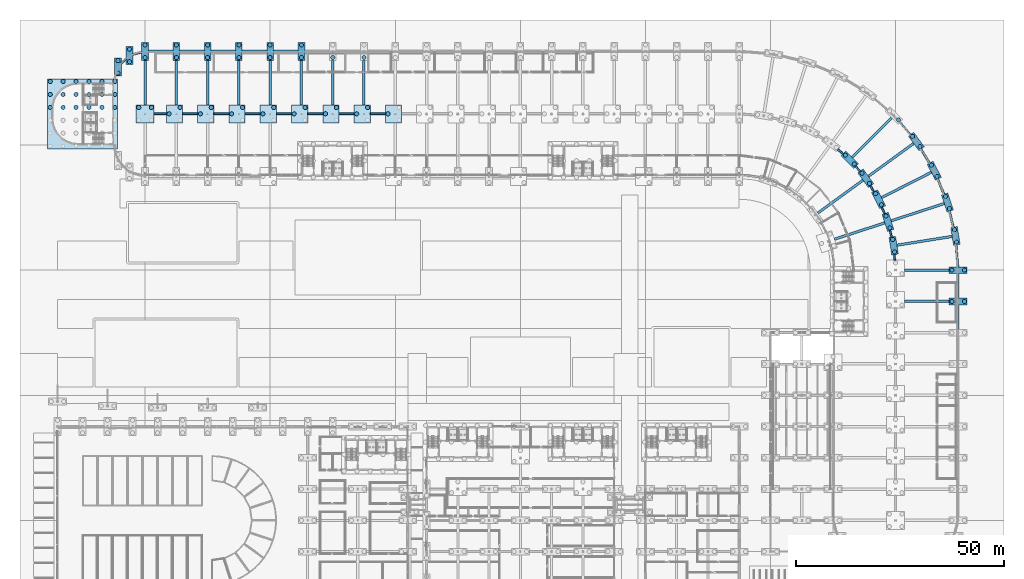
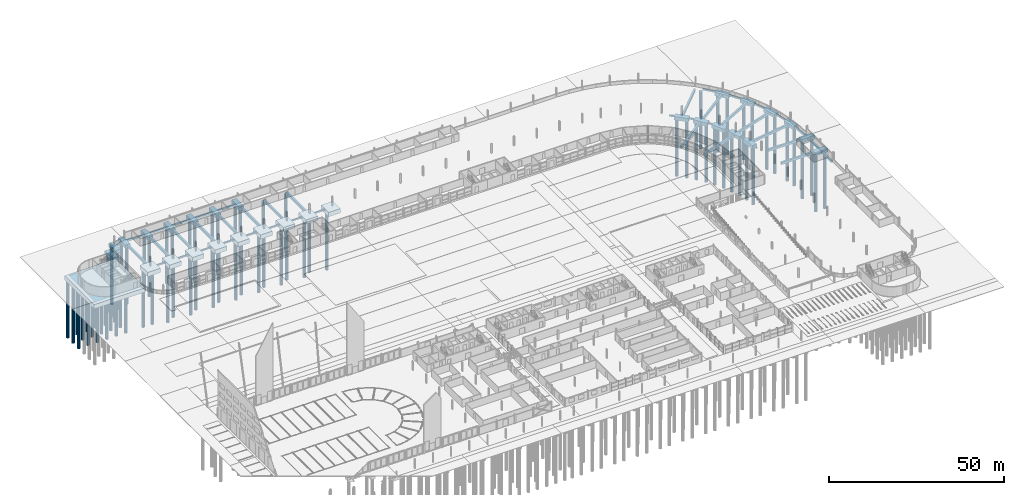
# One storey, part 7 of 130: 76 piles, 74 footings.
"""IFC4 building model written with IfcOpenShell, lengths in metres."""

from ifc_helpers import new_model, si_unit, direction, frame, origin, origin_2d, place, context, subcontext, project, spatial, rectangle, circle, extrude, material, material_profile, profile_set, type_object, element, save


model = new_model("IFC4")

# Units and contexts
model_context = context("Model", 3, precision=1e-05, world=origin(), true_north=direction((0.0, 1.0)))
body_context = subcontext(model_context, "Body", "Model", "MODEL_VIEW")
ifc_project = project(units=[si_unit("LENGTHUNIT", "METRE"), si_unit("AREAUNIT", "SQUARE_METRE"), si_unit("VOLUMEUNIT", "CUBIC_METRE"), si_unit("PLANEANGLEUNIT", "RADIAN"), si_unit("MASSUNIT", "GRAM", prefix="KILO")], contexts=[model_context])

# Site, building, storey
site_placement = place(None, origin())
site = spatial("IfcSite", under=ifc_project, at=site_placement, CompositionType="ELEMENT")
building_placement = place(site_placement, origin())
building = spatial("IfcBuilding", under=site, at=building_placement, Name="Parallax Yard Mobility Hub", CompositionType="ELEMENT")
storey_placement = place(building_placement, origin())
storey = spatial("IfcBuildingStorey", under=building, at=storey_placement, Name="L00", CompositionType="ELEMENT", Elevation=0.0)

# Piles
ifc_material = material(Name="Concrete fc' 28 MPa", Category="concrete")
ifc_material_profile_1 = material_profile(ifc_material, circle(Radius=0.5, at=origin_2d()), Name="Bored pile D1000")
ifc_profile_set_1 = profile_set([ifc_material_profile_1], Name="Concrete fc' 28 MPa")
pile_type = type_object("IfcPileType", Name="Bored pile D1000", PredefinedType="BORED", material=ifc_profile_set_1)
for number, where, z_axis, x_axis, name in (
    (1, (223.4951171875, 82.5, -1.35009765625), (0.0, 0.0, -1.0), (1.0, 0.0, 0.0), "Bored pile 1 of PC1 under column V4 at M/31"),
    (2, (226.5048828125, 82.5, -1.35009765625), (0.0, 0.0, -1.0), (1.0, 0.0, 0.0), "Bored pile 2 of PC1 under column V4 at M/31"),
    (3, (223.4951171875, 90.0, -1.35009765625), (0.0, 0.0, -1.0), (1.0, 0.0, 0.0), "Bored pile 1 of PC1 under column V4 at N/31"),
    (4, (226.5048828125, 90.0, -1.35009765625), (0.0, 0.0, -1.0), (1.0, 0.0, 0.0), "Bored pile 2 of PC1 under column V4 at N/31"),
    (5, (200.080810546875, 115.452392578125, -1.35009765625), (0.0, 0.0, -1.0), (1.0, 0.0, 0.0), "Bored pile 1 of PC1 under column V4 at RB/R5"),
    (6, (197.952392578125, 117.580810546875, -1.35009765625), (0.0, 0.0, -1.0), (1.0, 0.0, 0.0), "Bored pile 2 of PC1 under column V4 at RB/R5"),
    (7, (203.72265625, 110.82421875, -1.35009765625), (0.0, 0.0, -1.0), (1.0, 0.0, 0.0), "Bored pile 1 of PC1 under column V4 at RB/R6"),
    (8, (201.95361328125, 113.259521484375, -1.35009765625), (0.0, 0.0, -1.0), (1.0, 0.0, 0.0), "Bored pile 2 of PC1 under column V4 at RB/R6"),
    (9, (206.595947265625, 105.68359375, -1.35009765625), (0.0, 0.0, -1.0), (1.0, 0.0, 0.0), "Bored pile 1 of PC1 under column V4 at RB/R7"),
    (10, (205.2294921875, 108.365478515625, -1.35009765625), (0.0, 0.0, -1.0), (1.0, 0.0, 0.0), "Bored pile 2 of PC1 under column V4 at RB/R7"),
    (11, (208.629638671875, 100.15673828125, -1.35009765625), (0.0, 0.0, -1.0), (1.0, 0.0, 0.0), "Bored pile 1 of PC1 under column V4 at RB/R8"),
    (12, (207.699462890625, 103.019287109375, -1.35009765625), (0.0, 0.0, -1.0), (1.0, 0.0, 0.0), "Bored pile 2 of PC1 under column V4 at RB/R8"),
    (13, (209.773681640625, 94.3798828125, -1.35009765625), (0.0, 0.0, -1.0), (1.0, 0.0, 0.0), "Bored pile 1 of PC1 under column V4 at RB/R9"),
    (14, (209.302978515625, 97.352783203125, -1.35009765625), (0.0, 0.0, -1.0), (1.0, 0.0, 0.0), "Bored pile 2 of PC1 under column V4 at RB/R9"),
    (15, (210.687255859375, 126.058837890625, -1.35009765625), (0.0, 0.0, -1.0), (1.0, 0.0, 0.0), "Bored pile 1 of PC1 under column V4 at RC/R5"),
    (16, (215.85791015625, 119.64111328125, -1.35009765625), (0.0, 0.0, -1.0), (1.0, 0.0, 0.0), "Bored pile 1 of PC1 under column V4 at RC/R6"),
    (17, (214.0888671875, 122.076416015625, -1.35009765625), (0.0, 0.0, -1.0), (1.0, 0.0, 0.0), "Bored pile 2 of PC1 under column V4 at RC/R6"),
    (18, (219.961181640625, 112.493408203125, -1.35009765625), (0.0, 0.0, -1.0), (1.0, 0.0, 0.0), "Bored pile 1 of PC1 under column V4 at RC/R7"),
    (19, (218.594482421875, 115.175537109375, -1.35009765625), (0.0, 0.0, -1.0), (1.0, 0.0, 0.0), "Bored pile 2 of PC1 under column V4 at RC/R7"),
    (20, (222.8955078125, 104.7919921875, -1.35009765625), (0.0, 0.0, -1.0), (1.0, 0.0, 0.0), "Bored pile 1 of PC1 under column V4 at RC/R8"),
    (21, (221.96533203125, 107.65478515625, -1.35009765625), (0.0, 0.0, -1.0), (1.0, 0.0, 0.0), "Bored pile 2 of PC1 under column V4 at RC/R8"),
    (22, (224.589111328125, 96.726318359375, -1.35009765625), (0.0, 0.0, -1.0), (1.0, 0.0, 0.0), "Bored pile 1 of PC1 under column V4 at RC/R9"),
    (23, (224.1181640625, 99.69921875, -1.35009765625), (0.0, 0.0, -1.0), (1.0, 0.0, 0.0), "Bored pile 2 of PC1 under column V4 at RC/R9"),
    (24, (68.368896484375, 129.0048828125, -1.64990234375), (0.0, 0.0, -1.0), (1.0, 0.0, 0.0), "Bored pile 2 of PC3 under column V4 at T/10"),
    (25, (65.76220703125, 127.5, -1.64990234375), (0.0, 0.0, -1.0), (1.0, 0.0, 0.0), "Bored pile 3 of PC3 under column V4 at T/10"),
    (26, (75.868896484375, 129.0048828125, -1.64990234375), (0.0, 0.0, -1.0), (1.0, 0.0, 0.0), "Bored pile 2 of PC3 under column V4 at T/11"),
    (27, (73.26220703125, 127.5, -1.64990234375), (0.0, 0.0, -1.0), (1.0, 0.0, 0.0), "Bored pile 3 of PC3 under column V4 at T/11"),
    (28, (83.368896484375, 129.0048828125, -1.64990234375), (0.0, 0.0, -1.0), (1.0, 0.0, 0.0), "Bored pile 2 of PC3 under column V4 at T/12"),
    (29, (80.76220703125, 127.5, -1.64990234375), (0.0, 0.0, -1.0), (1.0, 0.0, 0.0), "Bored pile 3 of PC3 under column V4 at T/12"),
    (30, (88.26220703125, 127.5, -1.64990234375), (0.0, 0.0, -1.0), (1.0, 0.0, 0.0), "Bored pile 3 of PC3 under column V4 at T/13"),
    (31, (31.5048828125, 129.0048828125, -1.64990234375), (0.0, 0.0, -1.0), (1.0, 0.0, 0.0), "Bored pile 2 of PC2 under column V4 at T/5"),
    (32, (28.4951171875, 129.0048828125, -1.64990234375), (0.0, 0.0, -1.0), (1.0, 0.0, 0.0), "Bored pile 4 of PC2 under column V4 at T/5"),
    (33, (38.368896484375, 129.0048828125, -1.64990234375), (0.0, 0.0, -1.0), (1.0, 0.0, 0.0), "Bored pile 2 of PC3 under column V4 at T/6"),
    (34, (35.76220703125, 127.5, -1.64990234375), (0.0, 0.0, -1.0), (1.0, 0.0, 0.0), "Bored pile 3 of PC3 under column V4 at T/6"),
    (35, (45.868896484375, 129.0048828125, -1.64990234375), (0.0, 0.0, -1.0), (1.0, 0.0, 0.0), "Bored pile 2 of PC3 under column V4 at T/7"),
    (36, (43.26220703125, 127.5, -1.64990234375), (0.0, 0.0, -1.0), (1.0, 0.0, 0.0), "Bored pile 3 of PC3 under column V4 at T/7"),
    (37, (53.368896484375, 129.0048828125, -1.64990234375), (0.0, 0.0, -1.0), (1.0, 0.0, 0.0), "Bored pile 2 of PC3 under column V4 at T/8"),
    (38, (50.76220703125, 127.5, -1.64990234375), (0.0, 0.0, -1.0), (1.0, 0.0, 0.0), "Bored pile 3 of PC3 under column V4 at T/8"),
    (39, (60.868896484375, 129.0048828125, -1.64990234375), (0.0, 0.0, -1.0), (1.0, 0.0, 0.0), "Bored pile 2 of PC3 under column V4 at T/9"),
    (40, (58.26220703125, 127.5, -1.64990234375), (0.0, 0.0, -1.0), (1.0, 0.0, 0.0), "Bored pile 3 of PC3 under column V4 at T/9"),
    (41, (67.5, 140.9951171875, -1.35009765625), (0.0, 0.0, -1.0), (1.0, 0.0, 0.0), "Bored pile 1 of PC1 under column V4 at V/10"),
    (42, (67.5, 144.0048828125, -1.35009765625), (0.0, 0.0, -1.0), (1.0, 0.0, 0.0), "Bored pile 2 of PC1 under column V4 at V/10"),
    (43, (75.0, 140.9951171875, -1.35009765625), (0.0, 0.0, -1.0), (1.0, 0.0, 0.0), "Bored pile 1 of PC1 under column V4 at V/11"),
    (44, (82.5, 140.9951171875, -1.35009765625), (0.0, 0.0, -1.0), (1.0, 0.0, 0.0), "Bored pile 1 of PC1 under column V4 at V/12"),
    (45, (30.0, 140.9951171875, -1.35009765625), (0.0, 0.0, -1.0), (1.0, 0.0, 0.0), "Bored pile 1 of PC1 under column V4 at V/5"),
    (46, (30.0, 144.0048828125, -1.35009765625), (0.0, 0.0, -1.0), (1.0, 0.0, 0.0), "Bored pile 2 of PC1 under column V4 at V/5"),
    (47, (37.5, 140.9951171875, -1.35009765625), (0.0, 0.0, -1.0), (1.0, 0.0, 0.0), "Bored pile 1 of PC1 under column V4 at V/6"),
    (48, (37.5, 144.0048828125, -1.35009765625), (0.0, 0.0, -1.0), (1.0, 0.0, 0.0), "Bored pile 2 of PC1 under column V4 at V/6"),
    (49, (45.0, 140.9951171875, -1.35009765625), (0.0, 0.0, -1.0), (1.0, 0.0, 0.0), "Bored pile 1 of PC1 under column V4 at V/7"),
    (50, (45.0, 144.0048828125, -1.35009765625), (0.0, 0.0, -1.0), (1.0, 0.0, 0.0), "Bored pile 2 of PC1 under column V4 at V/7"),
    (51, (52.5, 140.9951171875, -1.35009765625), (0.0, 0.0, -1.0), (1.0, 0.0, 0.0), "Bored pile 1 of PC1 under column V4 at V/8"),
    (52, (52.5, 144.0048828125, -1.35009765625), (0.0, 0.0, -1.0), (1.0, 0.0, 0.0), "Bored pile 2 of PC1 under column V4 at V/8"),
    (53, (60.0, 140.9951171875, -1.35009765625), (0.0, 0.0, -1.0), (1.0, 0.0, 0.0), "Bored pile 1 of PC1 under column V4 at V/9"),
    (54, (60.0, 144.0048828125, -1.35009765625), (0.0, 0.0, -1.0), (1.0, 0.0, 0.0), "Bored pile 2 of PC1 under column V4 at V/9"),
    (55, (26.25, 139.990234375, -1.35009765625), (0.0, 0.0, -1.0), (1.0, 0.0, 0.0), "Bored pile 1 of PC1 under column V4 at W-N1"),
    (56, (26.25, 143.000244140625, -1.35009765625), (0.0, 0.0, -1.0), (1.0, 0.0, 0.0), "Bored pile 2 of PC1 under column V4 at W-N1"),
    (57, (23.5048828125, 137.2451171875, -1.35009765625), (0.0, 0.0, -1.0), (1.0, 0.0, 0.0), "Bored pile 1 of PC1 under column V4 at W-N2"),
    (58, (23.5048828125, 140.2548828125, -1.35009765625), (0.0, 0.0, -1.0), (1.0, 0.0, 0.0), "Bored pile 2 of PC1 under column V4 at W-N2"),
    (59, (22.75, 129.050048828125, -1.64990234375), (0.0, 0.0, -1.0), (1.0, 0.0, 0.0), "Bored pile 4 of PR2 under core C-W"),
    (60, (22.75, 132.14990234375, -1.64990234375), (0.0, 0.0, -1.0), (1.0, 0.0, 0.0), "Bored pile 5 of PR2 under core C-W"),
    (61, (22.75, 135.25, -1.64990234375), (0.0, 0.0, -1.0), (1.0, 0.0, 0.0), "Bored pile 6 of PR2 under core C-W"),
    (62, (19.64990234375, 129.050048828125, -1.64990234375), (0.0, 0.0, -1.0), (1.0, 0.0, 0.0), "Bored pile 10 of PR2 under core C-W"),
    (63, (19.64990234375, 132.14990234375, -1.64990234375), (0.0, 0.0, -1.0), (1.0, 0.0, 0.0), "Bored pile 11 of PR2 under core C-W"),
    (64, (19.64990234375, 135.25, -1.64990234375), (0.0, 0.0, -1.0), (1.0, 0.0, 0.0), "Bored pile 12 of PR2 under core C-W"),
    (65, (16.550048828125, 129.050048828125, -1.64990234375), (0.0, 0.0, -1.0), (1.0, 0.0, 0.0), "Bored pile 16 of PR2 under core C-W"),
    (66, (16.550048828125, 132.14990234375, -1.64990234375), (0.0, 0.0, -1.0), (1.0, 0.0, 0.0), "Bored pile 17 of PR2 under core C-W"),
    (67, (16.550048828125, 135.25, -1.64990234375), (0.0, 0.0, -1.0), (1.0, 0.0, 0.0), "Bored pile 18 of PR2 under core C-W"),
    (68, (13.449951171875, 129.050048828125, -1.64990234375), (0.0, 0.0, -1.0), (1.0, 0.0, 0.0), "Bored pile 22 of PR2 under core C-W"),
    (69, (13.449951171875, 132.14990234375, -1.64990234375), (0.0, 0.0, -1.0), (1.0, 0.0, 0.0), "Bored pile 23 of PR2 under core C-W"),
    (70, (13.449951171875, 135.25, -1.64990234375), (0.0, 0.0, -1.0), (1.0, 0.0, 0.0), "Bored pile 24 of PR2 under core C-W"),
    (71, (10.35009765625, 129.050048828125, -1.64990234375), (0.0, 0.0, -1.0), (1.0, 0.0, 0.0), "Bored pile 28 of PR2 under core C-W"),
    (72, (10.35009765625, 132.14990234375, -1.64990234375), (0.0, 0.0, -1.0), (1.0, 0.0, 0.0), "Bored pile 29 of PR2 under core C-W"),
    (73, (10.35009765625, 135.25, -1.64990234375), (0.0, 0.0, -1.0), (1.0, 0.0, 0.0), "Bored pile 30 of PR2 under core C-W"),
    (74, (7.25, 129.050048828125, -1.64990234375), (0.0, 0.0, -1.0), (1.0, 0.0, 0.0), "Bored pile 34 of PR2 under core C-W"),
    (75, (7.25, 132.14990234375, -1.64990234375), (0.0, 0.0, -1.0), (1.0, 0.0, 0.0), "Bored pile 35 of PR2 under core C-W"),
    (76, (7.25, 135.25, -1.64990234375), (0.0, 0.0, -1.0), (1.0, 0.0, 0.0), "Bored pile 36 of PR2 under core C-W"),
):
    element("IfcPile", number, at=place(storey_placement, frame(where, z_axis=z_axis, x_axis=x_axis)), inside=storey, type_object=pile_type, Name=name, PredefinedType="BORED", context=body_context, shape_type="SweptSolid", body=[
        extrude(circle(Radius=0.5, at=origin_2d()), origin(), (0.0, 0.0, 1.0), 20.0),
    ])

# Footings
footing_type_1 = type_object("IfcFootingType", Name="Core pile raft 16800x16800x1500", PredefinedType="PILE_CAP", material=ifc_material)
footing_1_placement = place(storey_placement, frame((15.0, 127.5, -1.75), z_axis=(0.0, 0.0, 1.0), x_axis=(0.0, 1.0, 0.0)))
element("IfcFooting", 77, at=footing_1_placement, inside=storey, type_object=footing_type_1, Name="Core pile raft PR2 under core C-W", PredefinedType="PILE_CAP", context=body_context, shape_type="SweptSolid", body=[
    extrude(rectangle(XDim=16.800048828125, YDim=16.800048828125, at=origin_2d()), origin(), (0.0, 0.0, 1.0), 1.5),
])
ifc_material_profile_2 = material_profile(ifc_material, rectangle(XDim=0.39990234375, YDim=0.5, at=origin_2d()), Name="Grade beam 400x500")
ifc_profile_set_2 = profile_set([ifc_material_profile_2], Name="Concrete fc' 28 MPa")
footing_type_2 = type_object("IfcFootingType", Name="Grade beam 400x500", PredefinedType="STRIP_FOOTING", material=ifc_profile_set_2)
footing_2_placement = place(storey_placement, frame((209.81201171875, 92.3876953125, -0.5), z_axis=(-0.078341766262, 0.996926560815, 0.0), x_axis=(-0.996926560815, -0.078341766262, 0.0)))
element("IfcFooting", 78, at=footing_2_placement, inside=storey, type_object=footing_type_2, Name="Grade beam GB1 between N/29 and RB/R9 of ramped parking decks", PredefinedType="STRIP_FOOTING", context=body_context, shape_type="SweptSolid", body=[
    extrude(rectangle(XDim=0.39990234375, YDim=0.5, at=origin_2d()), origin(), (0.0, 0.0, 1.0), 1.32763671875),
])
for number, where, z_axis, x_axis, name in (
    (79, (196.185791015625, 118.93408203125, -0.5), (0.760447696438, -0.649399184618, 0.0), (0.649399184618, 0.760447696438, 0.0), "Grade beam GB1 between RB/R4 and RB/R5 of ramped parking decks"),
    (80, (200.42041015625, 114.872802734375, -0.5), (0.649399184618, -0.760447696438, 0.0), (0.760447696438, 0.649399184618, 0.0), "Grade beam GB1 between RB/R5 and RB/R6 of ramped parking decks"),
    (81, (203.967529296875, 110.19873046875, -0.5), (0.522499713382, -0.852639460449, 0.0), (0.852639460449, 0.522499713382, 0.0), "Grade beam GB1 between RB/R6 and RB/R7 of ramped parking decks"),
):
    element("IfcFooting", number, at=place(storey_placement, frame(where, z_axis=z_axis, x_axis=x_axis)), inside=storey, type_object=footing_type_2, Name=name, PredefinedType="STRIP_FOOTING", context=body_context, shape_type="SweptSolid", body=[
        extrude(rectangle(XDim=0.39990234375, YDim=0.5, at=origin_2d()), origin(), (0.0, 0.0, 1.0), 1.56103515625),
    ])
footing_3_placement = place(storey_placement, frame((206.739990234375, 105.027587890625, -0.5), z_axis=(0.382660243559, -0.923889137288, 0.0), x_axis=(0.923889137288, 0.382660243559, 0.0)))
element("IfcFooting", 82, at=footing_3_placement, inside=storey, type_object=footing_type_2, Name="Grade beam GB1 between RB/R7 and RB/R8 of ramped parking decks", PredefinedType="STRIP_FOOTING", context=body_context, shape_type="SweptSolid", body=[
    extrude(rectangle(XDim=0.39990234375, YDim=0.5, at=origin_2d()), origin(), (0.0, 0.0, 1.0), 1.561279296875),
])
footing_4_placement = place(storey_placement, frame((208.669189453125, 99.486083984375, -0.5), z_axis=(0.233509003844, -0.972354639586, 0.0), x_axis=(0.972354639586, 0.233509003844, 0.0)))
element("IfcFooting", 83, at=footing_4_placement, inside=storey, type_object=footing_type_2, Name="Grade beam GB1 between RB/R8 and RB/R9 of ramped parking decks", PredefinedType="STRIP_FOOTING", context=body_context, shape_type="SweptSolid", body=[
    extrude(rectangle(XDim=0.39990234375, YDim=0.5, at=origin_2d()), origin(), (0.0, 0.0, 1.0), 1.56103515625),
])
for number, where, z_axis, x_axis, name in (
    (84, (211.027099609375, 125.4794921875, -0.5), (0.649424254094, -0.760426287154, 0.0), (0.760426287154, 0.649424254094, 0.0), "Grade beam GB1 between RC/R5 and RC/R6 of ramped parking decks"),
    (85, (216.102783203125, 119.015625, -0.5), (0.522461153849, -0.852663088634, 0.0), (0.852663088634, 0.522461153849, 0.0), "Grade beam GB1 between RC/R6 and RC/R7 of ramped parking decks"),
    (86, (220.10498046875, 111.83740234375, -0.5), (0.382706111277, -0.923870138272, 0.0), (0.923870138272, 0.382706111277, 0.0), "Grade beam GB1 between RC/R7 and RC/R8 of ramped parking decks"),
    (87, (222.93505859375, 104.12158203125, -0.5), (0.23347200864, -0.972363523165, 0.0), (0.972363523165, 0.23347200864, 0.0), "Grade beam GB1 between RC/R8 and RC/R9 of ramped parking decks"),
):
    element("IfcFooting", number, at=place(storey_placement, frame(where, z_axis=z_axis, x_axis=x_axis)), inside=storey, type_object=footing_type_2, Name=name, PredefinedType="STRIP_FOOTING", context=body_context, shape_type="SweptSolid", body=[
        extrude(rectangle(XDim=0.39990234375, YDim=0.5, at=origin_2d()), origin(), (0.0, 0.0, 1.0), 3.9150390625),
    ])
for number, where, z_axis, x_axis, name in (
    (88, (69.018798828125, 127.5, -0.5), (1.0, 0.0, 0.0), (0.0, 1.0, 0.0), "Grade beam GB1 between T/10 and T/11 of ramped parking decks"),
    (89, (65.1123046875, 127.5, -0.5), (-1.0, 0.0, 0.0), (0.0, -1.0, 0.0), "Grade beam GB1 between T/10 and T/9 of ramped parking decks"),
    (90, (76.518798828125, 127.5, -0.5), (1.0, 0.0, 0.0), (0.0, 1.0, 0.0), "Grade beam GB1 between T/11 and T/12 of ramped parking decks"),
    (91, (84.018798828125, 127.5, -0.5), (1.0, 0.0, 0.0), (0.0, 1.0, 0.0), "Grade beam GB1 between T/12 and T/13 of ramped parking decks"),
):
    element("IfcFooting", number, at=place(storey_placement, frame(where, z_axis=z_axis, x_axis=x_axis)), inside=storey, type_object=footing_type_2, Name=name, PredefinedType="STRIP_FOOTING", context=body_context, shape_type="SweptSolid", body=[
        extrude(rectangle(XDim=0.39990234375, YDim=0.5, at=origin_2d()), origin(), (0.0, 0.0, 1.0), 3.593505859375),
    ])
footing_5_placement = place(storey_placement, frame((32.155029296875, 127.5, -0.5), z_axis=(1.0, 0.0, 0.0), x_axis=(0.0, 1.0, 0.0)))
element("IfcFooting", 92, at=footing_5_placement, inside=storey, type_object=footing_type_2, Name="Grade beam GB1 between T/5 and T/6 of ramped parking decks", PredefinedType="STRIP_FOOTING", context=body_context, shape_type="SweptSolid", body=[
    extrude(rectangle(XDim=0.39990234375, YDim=0.5, at=origin_2d()), origin(), (0.0, 0.0, 1.0), 2.957275390625),
])
for number, where, z_axis, x_axis, name in (
    (93, (39.018798828125, 127.5, -0.5), (1.0, 0.0, 0.0), (0.0, 1.0, 0.0), "Grade beam GB1 between T/6 and T/7 of ramped parking decks"),
    (94, (46.518798828125, 127.5, -0.5), (1.0, 0.0, 0.0), (0.0, 1.0, 0.0), "Grade beam GB1 between T/7 and T/8 of ramped parking decks"),
    (95, (54.018798828125, 127.5, -0.5), (1.0, 0.0, 0.0), (0.0, 1.0, 0.0), "Grade beam GB1 between T/8 and T/9 of ramped parking decks"),
):
    element("IfcFooting", number, at=place(storey_placement, frame(where, z_axis=z_axis, x_axis=x_axis)), inside=storey, type_object=footing_type_2, Name=name, PredefinedType="STRIP_FOOTING", context=body_context, shape_type="SweptSolid", body=[
        extrude(rectangle(XDim=0.39990234375, YDim=0.5, at=origin_2d()), origin(), (0.0, 0.0, 1.0), 3.593505859375),
    ])
footing_6_placement = place(storey_placement, frame((29.199951171875, 142.28564453125, -0.5), z_axis=(-0.965941197501, -0.258761672144, 0.0), x_axis=(0.258761672144, -0.965941197501, 0.0)))
element("IfcFooting", 96, at=footing_6_placement, inside=storey, type_object=footing_type_2, Name="Grade beam GB1 between V/5 and W-N1 of ramped parking decks", PredefinedType="STRIP_FOOTING", context=body_context, shape_type="SweptSolid", body=[
    extrude(rectangle(XDim=0.39990234375, YDim=0.5, at=origin_2d()), origin(), (0.0, 0.0, 1.0), 2.2255859375),
])
footing_7_placement = place(storey_placement, frame((25.449951171875, 140.6953125, -0.5), z_axis=(-0.707106781187, -0.707106781187, 0.0), x_axis=(0.707106781187, -0.707106781187, 0.0)))
element("IfcFooting", 97, at=footing_7_placement, inside=storey, type_object=footing_type_2, Name="Grade beam GB1 between W-N1 and W-N2 of ramped parking decks", PredefinedType="STRIP_FOOTING", context=body_context, shape_type="SweptSolid", body=[
    extrude(rectangle(XDim=0.39990234375, YDim=0.5, at=origin_2d()), origin(), (0.0, 0.0, 1.0), 1.61962890625),
])
ifc_material_profile_3 = material_profile(ifc_material, rectangle(XDim=0.5, YDim=0.60009765625, at=origin_2d()), Name="Grade beam 500x600")
ifc_profile_set_3 = profile_set([ifc_material_profile_3], Name="Concrete fc' 28 MPa")
footing_type_3 = type_object("IfcFootingType", Name="Grade beam 500x600", PredefinedType="STRIP_FOOTING", material=ifc_profile_set_3)
for number, where, z_axis, x_axis, name in (
    (98, (225.0, 75.800048828125, -0.550048828125), (0.0, 1.0, 0.0), (-1.0, 0.0, 0.0), "Grade beam GB2 between L/31 and M/31 of ramped parking decks"),
    (99, (225.0, 83.300048828125, -0.550048828125), (0.0, 1.0, 0.0), (-1.0, 0.0, 0.0), "Grade beam GB2 between M/31 and N/31 of ramped parking decks"),
):
    element("IfcFooting", number, at=place(storey_placement, frame(where, z_axis=z_axis, x_axis=x_axis)), inside=storey, type_object=footing_type_3, Name=name, PredefinedType="STRIP_FOOTING", context=body_context, shape_type="SweptSolid", body=[
        extrude(rectangle(XDim=0.5, YDim=0.60009765625, at=origin_2d()), origin(), (0.0, 0.0, 1.0), 5.89990234375),
    ])
footing_8_placement = place(storey_placement, frame((224.93701171875, 90.800048828125, -0.550048828125), z_axis=(-0.078462778113, 0.996917043916, 0.0), x_axis=(-0.996917043916, -0.078462778113, 0.0)))
element("IfcFooting", 100, at=footing_8_placement, inside=storey, type_object=footing_type_3, Name="Grade beam GB2 between N/31 and RC/R9 of ramped parking decks", PredefinedType="STRIP_FOOTING", context=body_context, shape_type="SweptSolid", body=[
    extrude(rectangle(XDim=0.5, YDim=0.60009765625, at=origin_2d()), origin(), (0.0, 0.0, 1.0), 5.274169921875),
])
for number, where, z_axis, x_axis, name in (
    (101, (66.699951171875, 142.5, -0.550048828125), (-1.0, 0.0, 0.0), (0.0, -1.0, 0.0), "Grade beam GB2 between V/10 and V/9 of ramped parking decks"),
    (102, (30.800048828125, 142.5, -0.550048828125), (1.0, 0.0, 0.0), (0.0, 1.0, 0.0), "Grade beam GB2 between V/5 and V/6 of ramped parking decks"),
    (103, (38.300048828125, 142.5, -0.550048828125), (1.0, 0.0, 0.0), (0.0, 1.0, 0.0), "Grade beam GB2 between V/6 and V/7 of ramped parking decks"),
    (104, (45.800048828125, 142.5, -0.550048828125), (1.0, 0.0, 0.0), (0.0, 1.0, 0.0), "Grade beam GB2 between V/7 and V/8 of ramped parking decks"),
    (105, (53.300048828125, 142.5, -0.550048828125), (1.0, 0.0, 0.0), (0.0, 1.0, 0.0), "Grade beam GB2 between V/8 and V/9 of ramped parking decks"),
):
    element("IfcFooting", number, at=place(storey_placement, frame(where, z_axis=z_axis, x_axis=x_axis)), inside=storey, type_object=footing_type_3, Name=name, PredefinedType="STRIP_FOOTING", context=body_context, shape_type="SweptSolid", body=[
        extrude(rectangle(XDim=0.5, YDim=0.60009765625, at=origin_2d()), origin(), (0.0, 0.0, 1.0), 5.89990234375),
    ])
ifc_material_profile_4 = material_profile(ifc_material, rectangle(XDim=0.60009765625, YDim=0.800048828125, at=origin_2d()), Name="Grade beam 600x800")
ifc_profile_set_4 = profile_set([ifc_material_profile_4], Name="Concrete fc' 28 MPa")
footing_type_4 = type_object("IfcFootingType", Name="Grade beam 600x800", PredefinedType="STRIP_FOOTING", material=ifc_profile_set_4)
for number, where, z_axis, x_axis, name in (
    (106, (212.155029296875, 82.5, -0.64990234375), (1.0, 0.0, 0.0), (0.0, 1.0, 0.0), "Grade beam GB3 between M/29 and M/31 of ramped parking decks"),
    (107, (212.155029296875, 90.0, -0.64990234375), (1.0, 0.0, 0.0), (0.0, 1.0, 0.0), "Grade beam GB3 between N/29 and N/31 of ramped parking decks"),
):
    element("IfcFooting", number, at=place(storey_placement, frame(where, z_axis=z_axis, x_axis=x_axis)), inside=storey, type_object=footing_type_4, Name=name, PredefinedType="STRIP_FOOTING", context=body_context, shape_type="SweptSolid", body=[
        extrude(rectangle(XDim=0.60009765625, YDim=0.800048828125, at=origin_2d()), origin(), (0.0, 0.0, 1.0), 10.68994140625),
    ])
footing_9_placement = place(storey_placement, frame((191.35009765625, 103.6953125, -0.64990234375), z_axis=(0.809011747655, 0.587792473715, 0.0), x_axis=(-0.587792473715, 0.809011747655, 0.0)))
element("IfcFooting", 108, at=footing_9_placement, inside=storey, type_object=footing_type_4, Name="Grade beam GB3 between RA/R6 and RB/R6 of ramped parking decks", PredefinedType="STRIP_FOOTING", context=body_context, shape_type="SweptSolid", body=[
    extrude(rectangle(XDim=0.60009765625, YDim=0.800048828125, at=origin_2d()), origin(), (0.0, 0.0, 1.0), 13.400146484375),
])
footing_10_placement = place(storey_placement, frame((195.343505859375, 97.42236328125, -0.64990234375), z_axis=(0.951060522644, 0.309004663828, 0.0), x_axis=(-0.309004663828, 0.951060522644, 0.0)))
element("IfcFooting", 109, at=footing_10_placement, inside=storey, type_object=footing_type_4, Name="Grade beam GB3 between RA/R8 and RB/R8 of ramped parking decks", PredefinedType="STRIP_FOOTING", context=body_context, shape_type="SweptSolid", body=[
    extrude(rectangle(XDim=0.60009765625, YDim=0.800048828125, at=origin_2d()), origin(), (0.0, 0.0, 1.0), 12.680908203125),
])
for number, where, z_axis, x_axis, name in (
    (110, (199.582275390625, 117.082275390625, -0.64990234375), (0.707106781187, 0.707106781187, 0.0), (-0.707106781187, 0.707106781187, 0.0), "Grade beam GB3 between RB/R5 and RC/R5 of ramped parking decks"),
    (111, (203.4853515625, 112.51220703125, -0.64990234375), (0.809020411523, 0.587780548963, 0.0), (-0.587780548963, 0.809020411523, 0.0), "Grade beam GB3 between RB/R6 and RC/R6 of ramped parking decks"),
    (112, (206.62548828125, 107.3876953125, -0.64990234375), (0.891005290326, 0.453992921322, 0.0), (-0.453992921322, 0.891005290326, 0.0), "Grade beam GB3 between RB/R7 and RC/R7 of ramped parking decks"),
):
    element("IfcFooting", number, at=place(storey_placement, frame(where, z_axis=z_axis, x_axis=x_axis)), inside=storey, type_object=footing_type_4, Name=name, PredefinedType="STRIP_FOOTING", context=body_context, shape_type="SweptSolid", body=[
        extrude(rectangle(XDim=0.60009765625, YDim=0.800048828125, at=origin_2d()), origin(), (0.0, 0.0, 1.0), 13.39990234375),
    ])
footing_11_placement = place(storey_placement, frame((208.92529296875, 101.835205078125, -0.64990234375), z_axis=(0.951051874226, 0.30903128083, 0.0), x_axis=(-0.30903128083, 0.951051874226, 0.0)))
element("IfcFooting", 113, at=footing_11_placement, inside=storey, type_object=footing_type_4, Name="Grade beam GB3 between RB/R8 and RC/R8 of ramped parking decks", PredefinedType="STRIP_FOOTING", context=body_context, shape_type="SweptSolid", body=[
    extrude(rectangle(XDim=0.60009765625, YDim=0.800048828125, at=origin_2d()), origin(), (0.0, 0.0, 1.0), 13.400390625),
])
footing_12_placement = place(storey_placement, frame((210.32861328125, 95.991455078125, -0.64990234375), z_axis=(0.987688398333, 0.1564341005, 0.0), x_axis=(-0.1564341005, 0.987688398333, 0.0)))
element("IfcFooting", 114, at=footing_12_placement, inside=storey, type_object=footing_type_4, Name="Grade beam GB3 between RB/R9 and RC/R9 of ramped parking decks", PredefinedType="STRIP_FOOTING", context=body_context, shape_type="SweptSolid", body=[
    extrude(rectangle(XDim=0.60009765625, YDim=0.800048828125, at=origin_2d()), origin(), (0.0, 0.0, 1.0), 13.39990234375),
])
for number, where, z_axis, x_axis, name in (
    (115, (67.5, 129.655029296875, -0.64990234375), (0.0, 1.0, 0.0), (-1.0, 0.0, 0.0), "Grade beam GB3 between T/10 and V/10 of ramped parking decks"),
    (116, (75.0, 129.655029296875, -0.64990234375), (0.0, 1.0, 0.0), (-1.0, 0.0, 0.0), "Grade beam GB3 between T/11 and V/11 of ramped parking decks"),
    (117, (82.5, 129.655029296875, -0.64990234375), (0.0, 1.0, 0.0), (-1.0, 0.0, 0.0), "Grade beam GB3 between T/12 and V/12 of ramped parking decks"),
    (118, (30.0, 129.655029296875, -0.64990234375), (0.0, 1.0, 0.0), (-1.0, 0.0, 0.0), "Grade beam GB3 between T/5 and V/5 of ramped parking decks"),
    (119, (37.5, 129.655029296875, -0.64990234375), (0.0, 1.0, 0.0), (-1.0, 0.0, 0.0), "Grade beam GB3 between T/6 and V/6 of ramped parking decks"),
    (120, (45.0, 129.655029296875, -0.64990234375), (0.0, 1.0, 0.0), (-1.0, 0.0, 0.0), "Grade beam GB3 between T/7 and V/7 of ramped parking decks"),
    (121, (52.5, 129.655029296875, -0.64990234375), (0.0, 1.0, 0.0), (-1.0, 0.0, 0.0), "Grade beam GB3 between T/8 and V/8 of ramped parking decks"),
    (122, (60.0, 129.655029296875, -0.64990234375), (0.0, 1.0, 0.0), (-1.0, 0.0, 0.0), "Grade beam GB3 between T/9 and V/9 of ramped parking decks"),
):
    element("IfcFooting", number, at=place(storey_placement, frame(where, z_axis=z_axis, x_axis=x_axis)), inside=storey, type_object=footing_type_4, Name=name, PredefinedType="STRIP_FOOTING", context=body_context, shape_type="SweptSolid", body=[
        extrude(rectangle(XDim=0.60009765625, YDim=0.800048828125, at=origin_2d()), origin(), (0.0, 0.0, 1.0), 10.68994140625),
    ])
footing_type_5 = type_object("IfcFootingType", Name="Pile cap 4310x1600x1200", PredefinedType="PILE_CAP", material=ifc_material)
for number, where, z_axis, x_axis, name in (
    (123, (225.0, 82.5, -1.4501953125), (0.0, 0.0, 1.0), (1.0, 0.0, 0.0), "Pile cap PC1 under column V4 at M/31"),
    (124, (225.0, 90.0, -1.4501953125), (0.0, 0.0, 1.0), (1.0, 0.0, 0.0), "Pile cap PC1 under column V4 at N/31"),
    (125, (199.0166015625, 116.5166015625, -1.4501953125), (0.0, 0.0, 1.0), (-0.707106781187, 0.707106781187, 0.0), "Pile cap PC1 under column V4 at RB/R5"),
    (126, (202.838134765625, 112.0419921875, -1.4501953125), (0.0, 0.0, 1.0), (-0.587785252292, 0.809016994375, 0.0), "Pile cap PC1 under column V4 at RB/R6"),
    (127, (205.91259765625, 107.024658203125, -1.4501953125), (0.0, 0.0, 1.0), (-0.45399049974, 0.891006524188, 0.0), "Pile cap PC1 under column V4 at RB/R7"),
    (128, (208.16455078125, 101.588134765625, -1.4501953125), (0.0, 0.0, 1.0), (-0.309016994375, 0.951056516295, 0.0), "Pile cap PC1 under column V4 at RB/R8"),
    (129, (209.538330078125, 95.8662109375, -1.4501953125), (0.0, 0.0, 1.0), (-0.15643446504, 0.987688340595, 0.0), "Pile cap PC1 under column V4 at RB/R9"),
    (130, (214.973388671875, 120.858642578125, -1.4501953125), (0.0, 0.0, 1.0), (-0.587785252292, 0.809016994375, 0.0), "Pile cap PC1 under column V4 at RC/R6"),
    (131, (219.27783203125, 113.83447265625, -1.4501953125), (0.0, 0.0, 1.0), (-0.45399049974, 0.891006524188, 0.0), "Pile cap PC1 under column V4 at RC/R7"),
    (132, (222.430419921875, 106.223388671875, -1.4501953125), (0.0, 0.0, 1.0), (-0.309016994375, 0.951056516295, 0.0), "Pile cap PC1 under column V4 at RC/R8"),
    (133, (224.353515625, 98.212890625, -1.4501953125), (0.0, 0.0, 1.0), (-0.15643446504, 0.987688340595, 0.0), "Pile cap PC1 under column V4 at RC/R9"),
    (134, (67.5, 142.5, -1.4501953125), (0.0, 0.0, 1.0), (0.0, 1.0, 0.0), "Pile cap PC1 under column V4 at V/10"),
    (135, (30.0, 142.5, -1.4501953125), (0.0, 0.0, 1.0), (0.0, 1.0, 0.0), "Pile cap PC1 under column V4 at V/5"),
    (136, (37.5, 142.5, -1.4501953125), (0.0, 0.0, 1.0), (0.0, 1.0, 0.0), "Pile cap PC1 under column V4 at V/6"),
    (137, (45.0, 142.5, -1.4501953125), (0.0, 0.0, 1.0), (0.0, 1.0, 0.0), "Pile cap PC1 under column V4 at V/7"),
    (138, (52.5, 142.5, -1.4501953125), (0.0, 0.0, 1.0), (0.0, 1.0, 0.0), "Pile cap PC1 under column V4 at V/8"),
    (139, (60.0, 142.5, -1.4501953125), (0.0, 0.0, 1.0), (0.0, 1.0, 0.0), "Pile cap PC1 under column V4 at V/9"),
    (140, (26.25, 141.4951171875, -1.4501953125), (0.0, 0.0, 1.0), (0.0, 1.0, 0.0), "Pile cap PC1 under column V4 at W-N1"),
    (141, (23.5048828125, 138.75, -1.4501953125), (0.0, 0.0, 1.0), (0.0, 1.0, 0.0), "Pile cap PC1 under column V4 at W-N2"),
):
    element("IfcFooting", number, at=place(storey_placement, frame(where, z_axis=z_axis, x_axis=x_axis)), inside=storey, type_object=footing_type_5, Name=name, PredefinedType="PILE_CAP", context=body_context, shape_type="SweptSolid", body=[
        extrude(rectangle(XDim=4.31005859375, YDim=1.60009765625, at=origin_2d()), origin(), (0.0, 0.0, 1.0), 1.199951171875),
    ])
footing_type_6 = type_object("IfcFootingType", Name="Pile cap 4310x3907x1500", PredefinedType="PILE_CAP", material=ifc_material)
for number, where, z_axis, x_axis, name in (
    (142, (67.0654296875, 127.5, -1.75), (0.0, 0.0, 1.0), (0.0, 1.0, 0.0), "Pile cap PC3 under column V4 at T/10"),
    (143, (74.5654296875, 127.5, -1.75), (0.0, 0.0, 1.0), (0.0, 1.0, 0.0), "Pile cap PC3 under column V4 at T/11"),
    (144, (82.0654296875, 127.5, -1.75), (0.0, 0.0, 1.0), (0.0, 1.0, 0.0), "Pile cap PC3 under column V4 at T/12"),
    (145, (89.5654296875, 127.5, -1.75), (0.0, 0.0, 1.0), (0.0, 1.0, 0.0), "Pile cap PC3 under column V4 at T/13"),
    (146, (37.0654296875, 127.5, -1.75), (0.0, 0.0, 1.0), (0.0, 1.0, 0.0), "Pile cap PC3 under column V4 at T/6"),
    (147, (44.5654296875, 127.5, -1.75), (0.0, 0.0, 1.0), (0.0, 1.0, 0.0), "Pile cap PC3 under column V4 at T/7"),
    (148, (52.0654296875, 127.5, -1.75), (0.0, 0.0, 1.0), (0.0, 1.0, 0.0), "Pile cap PC3 under column V4 at T/8"),
    (149, (59.5654296875, 127.5, -1.75), (0.0, 0.0, 1.0), (0.0, 1.0, 0.0), "Pile cap PC3 under column V4 at T/9"),
):
    element("IfcFooting", number, at=place(storey_placement, frame(where, z_axis=z_axis, x_axis=x_axis)), inside=storey, type_object=footing_type_6, Name=name, PredefinedType="PILE_CAP", context=body_context, shape_type="SweptSolid", body=[
        extrude(rectangle(XDim=4.31005859375, YDim=3.90673828125, at=origin_2d()), origin(), (0.0, 0.0, 1.0), 1.5),
    ])
footing_type_7 = type_object("IfcFootingType", Name="Pile cap 4310x4310x1500", PredefinedType="PILE_CAP", material=ifc_material)
footing_13_placement = place(storey_placement, frame((30.0, 127.5, -1.75), z_axis=(0.0, 0.0, 1.0), x_axis=(0.0, 1.0, 0.0)))
element("IfcFooting", 150, at=footing_13_placement, inside=storey, type_object=footing_type_7, Name="Pile cap PC2 under column V4 at T/5", PredefinedType="PILE_CAP", context=body_context, shape_type="SweptSolid", body=[
    extrude(rectangle(XDim=4.31005859375, YDim=4.31005859375, at=origin_2d()), origin(), (0.0, 0.0, 1.0), 1.5),
])

save(model, "model.ifc")
